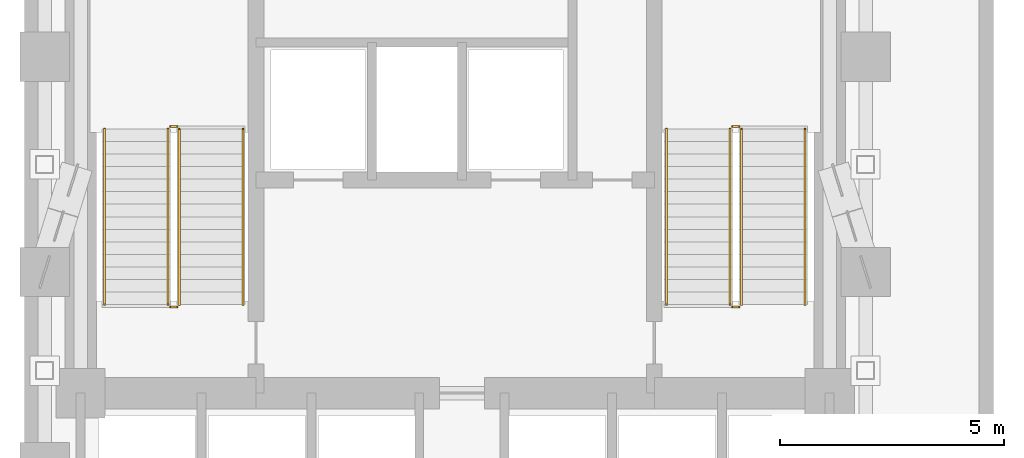
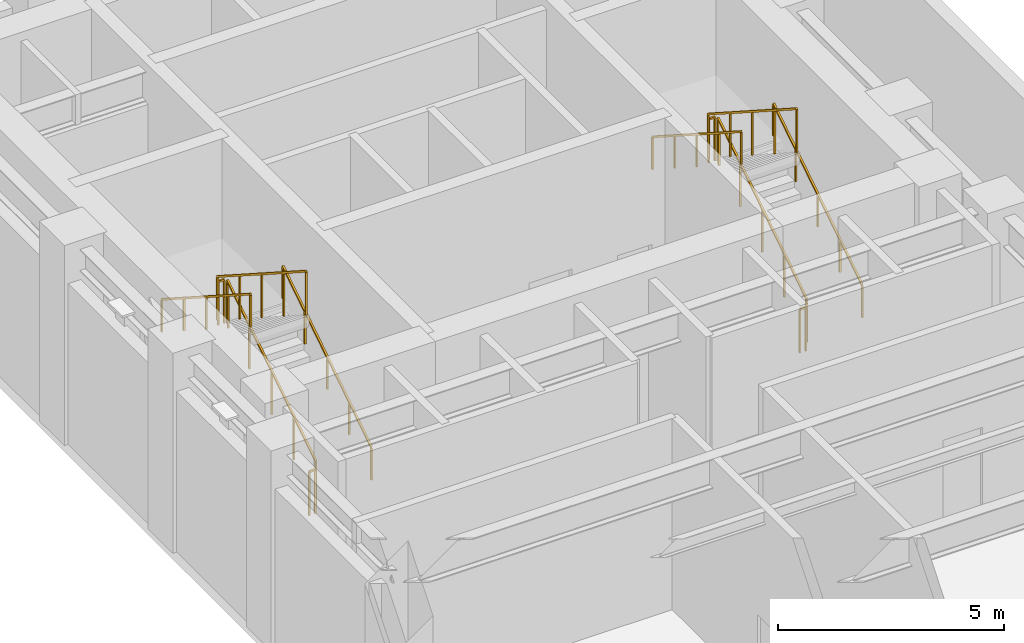
# One storey, part 8 of 9: 12 railings.
"""IFC4 building model written with IfcOpenShell, lengths in metres."""

from ifc_helpers import new_model, si_unit, direction, frame, origin, origin_2d, place, context, subcontext, project, spatial, rectangle, extrude, material, type_object, element, save


model = new_model("IFC4")

# Units and contexts
model_context = context("Model", 3, precision=1e-05, world=origin(), true_north=direction((0.0, 1.0)))
body_context = subcontext(model_context, "Body", "Model", "MODEL_VIEW")
ifc_project = project(units=[si_unit("LENGTHUNIT", "METRE"), si_unit("AREAUNIT", "SQUARE_METRE"), si_unit("VOLUMEUNIT", "CUBIC_METRE"), si_unit("PLANEANGLEUNIT", "RADIAN"), si_unit("MASSUNIT", "GRAM", prefix="KILO")], contexts=[model_context])

# Site, building, storey
site_placement = place(None, origin())
site = spatial("IfcSite", under=ifc_project, at=site_placement, CompositionType="ELEMENT")
building_placement = place(site_placement, origin())
building = spatial("IfcBuilding", under=site, at=building_placement, Name="Orvandelia Arch Residences", CompositionType="ELEMENT")
storey_placement = place(building_placement, frame((0.0, 0.0, 101.800048828125)))
storey = spatial("IfcBuildingStorey", under=building, at=storey_placement, Name="L26", CompositionType="ELEMENT", Elevation=101.800048828125)

# Railings
ifc_material = material(Name="Brushed Stainless Steel 304", Category="steel")
railing_type_1 = type_object("IfcRailingType", Name="RL-STAIR-GD1120", PredefinedType="GUARDRAIL", material=ifc_material)
railing_1_placement = place(storey_placement, frame((8.25, 32.8701171875, 0.179931640625)))
element("IfcRailing", 1, at=railing_1_placement, inside=storey, type_object=railing_type_1, Name="L26 ST-1 stair guard 1", PredefinedType="GUARDRAIL", context=body_context, shape_type="SweptSolid", body=[
    extrude(rectangle(XDim=0.048095703125, YDim=0.048095703125, at=origin_2d()), frame((0.0, 0.0, 1.17578125), z_axis=(0.0, 0.841171666519, 0.540768182723), x_axis=(-1.0, 0.0, 0.0)), (0.0, 0.0, 1.0), 4.66015625),
    extrude(rectangle(XDim=0.0419921875, YDim=0.0419921875, at=origin_2d()), origin(), (0.0, 0.0, 1.0), 1.15185546875),
    extrude(rectangle(XDim=0.0419921875, YDim=0.0419921875, at=origin_2d()), frame((0.0, 0.97998046875, 0.6298828125)), (0.0, 0.0, 1.0), 1.15185546875),
    extrude(rectangle(XDim=0.0419921875, YDim=0.0419921875, at=origin_2d()), frame((0.0, 1.9599609375, 1.260009765625)), (0.0, 0.0, 1.0), 1.15185546875),
    extrude(rectangle(XDim=0.0419921875, YDim=0.0419921875, at=origin_2d()), frame((0.0, 2.93994140625, 1.89013671875)), (0.0, 0.0, 1.0), 1.15185546875),
    extrude(rectangle(XDim=0.0419921875, YDim=0.0419921875, at=origin_2d()), frame((0.0, 3.919921875, 2.52001953125)), (0.0, 0.0, 1.0), 1.15185546875),
])
railing_2_placement = place(storey_placement, frame((8.199951171875, 36.840087890625, 2.699951171875)))
element("IfcRailing", 2, at=railing_2_placement, inside=storey, type_object=railing_type_1, Name="L26 ST-1 stair guard 2", PredefinedType="GUARDRAIL", context=body_context, shape_type="SweptSolid", body=[
    extrude(rectangle(XDim=0.048095703125, YDim=0.048095703125, at=origin_2d()), frame((0.0, 0.0, 1.17578125), z_axis=(-1.0, 0.0, 0.0), x_axis=(0.0, -1.0, 0.0)), (0.0, 0.0, 1.0), 0.14990234375),
    extrude(rectangle(XDim=0.0419921875, YDim=0.0419921875, at=origin_2d()), origin(), (0.0, 0.0, 1.0), 1.15185546875),
    extrude(rectangle(XDim=0.0419921875, YDim=0.0419921875, at=origin_2d()), frame((-0.14990234375, 0.0, 0.0)), (0.0, 0.0, 1.0), 1.15185546875),
])
railing_3_placement = place(storey_placement, frame((8.0, 36.7900390625, 2.8798828125)))
element("IfcRailing", 3, at=railing_3_placement, inside=storey, type_object=railing_type_1, Name="L26 ST-1 stair guard 3", PredefinedType="GUARDRAIL", context=body_context, shape_type="SweptSolid", body=[
    extrude(rectangle(XDim=0.048095703125, YDim=0.048095703125, at=origin_2d()), frame((0.0, 0.0, 1.17578125), z_axis=(0.0, -0.841171666519, 0.540768182723), x_axis=(1.0, 0.0, 0.0)), (0.0, 0.0, 1.0), 4.66015625),
    extrude(rectangle(XDim=0.0419921875, YDim=0.0419921875, at=origin_2d()), origin(), (0.0, 0.0, 1.0), 1.15185546875),
    extrude(rectangle(XDim=0.0419921875, YDim=0.0419921875, at=origin_2d()), frame((0.0, -0.97998046875, 0.6298828125)), (0.0, 0.0, 1.0), 1.15185546875),
    extrude(rectangle(XDim=0.0419921875, YDim=0.0419921875, at=origin_2d()), frame((0.0, -1.9599609375, 1.260009765625)), (0.0, 0.0, 1.0), 1.15185546875),
    extrude(rectangle(XDim=0.0419921875, YDim=0.0419921875, at=origin_2d()), frame((0.0, -2.93994140625, 1.89013671875)), (0.0, 0.0, 1.0), 1.15185546875),
    extrude(rectangle(XDim=0.0419921875, YDim=0.0419921875, at=origin_2d()), frame((0.0, -3.919921875, 2.52001953125)), (0.0, 0.0, 1.0), 1.15185546875),
])
railing_4_placement = place(storey_placement, frame((8.199951171875, 32.820068359375, 0.0)))
element("IfcRailing", 4, at=railing_4_placement, inside=storey, type_object=railing_type_1, Name="L26 ST-1 stair guard 4", PredefinedType="GUARDRAIL", context=body_context, shape_type="SweptSolid", body=[
    extrude(rectangle(XDim=0.048095703125, YDim=0.048095703125, at=origin_2d()), frame((0.0, 0.0, 1.17578125), z_axis=(-1.0, 0.0, 0.0), x_axis=(0.0, -1.0, 0.0)), (0.0, 0.0, 1.0), 0.14990234375),
    extrude(rectangle(XDim=0.0419921875, YDim=0.0419921875, at=origin_2d()), origin(), (0.0, 0.0, 1.0), 1.15185546875),
    extrude(rectangle(XDim=0.0419921875, YDim=0.0419921875, at=origin_2d()), frame((-0.14990234375, 0.0, 0.0)), (0.0, 0.0, 1.0), 1.15185546875),
])
railing_5_placement = place(storey_placement, frame((20.780029296875, 32.8701171875, 0.179931640625)))
element("IfcRailing", 5, at=railing_5_placement, inside=storey, type_object=railing_type_1, Name="L26 ST-2 stair guard 1", PredefinedType="GUARDRAIL", context=body_context, shape_type="SweptSolid", body=[
    extrude(rectangle(XDim=0.048095703125, YDim=0.048095703125, at=origin_2d()), frame((0.0, 0.0, 1.17578125), z_axis=(0.0, 0.841171666519, 0.540768182723), x_axis=(-1.0, 0.0, 0.0)), (0.0, 0.0, 1.0), 4.66015625),
    extrude(rectangle(XDim=0.0419921875, YDim=0.0419921875, at=origin_2d()), origin(), (0.0, 0.0, 1.0), 1.15185546875),
    extrude(rectangle(XDim=0.0419921875, YDim=0.0419921875, at=origin_2d()), frame((0.0, 0.97998046875, 0.6298828125)), (0.0, 0.0, 1.0), 1.15185546875),
    extrude(rectangle(XDim=0.0419921875, YDim=0.0419921875, at=origin_2d()), frame((0.0, 1.9599609375, 1.260009765625)), (0.0, 0.0, 1.0), 1.15185546875),
    extrude(rectangle(XDim=0.0419921875, YDim=0.0419921875, at=origin_2d()), frame((0.0, 2.93994140625, 1.89013671875)), (0.0, 0.0, 1.0), 1.15185546875),
    extrude(rectangle(XDim=0.0419921875, YDim=0.0419921875, at=origin_2d()), frame((0.0, 3.919921875, 2.52001953125)), (0.0, 0.0, 1.0), 1.15185546875),
])
railing_6_placement = place(storey_placement, frame((20.72998046875, 36.840087890625, 2.699951171875)))
element("IfcRailing", 6, at=railing_6_placement, inside=storey, type_object=railing_type_1, Name="L26 ST-2 stair guard 2", PredefinedType="GUARDRAIL", context=body_context, shape_type="SweptSolid", body=[
    extrude(rectangle(XDim=0.048095703125, YDim=0.048095703125, at=origin_2d()), frame((0.0, 0.0, 1.17578125), z_axis=(-1.0, 0.0, 0.0), x_axis=(0.0, -1.0, 0.0)), (0.0, 0.0, 1.0), 0.14990234375),
    extrude(rectangle(XDim=0.0419921875, YDim=0.0419921875, at=origin_2d()), origin(), (0.0, 0.0, 1.0), 1.15185546875),
    extrude(rectangle(XDim=0.0419921875, YDim=0.0419921875, at=origin_2d()), frame((-0.14990234375, 0.0, 0.0)), (0.0, 0.0, 1.0), 1.15185546875),
])
railing_7_placement = place(storey_placement, frame((20.530029296875, 36.7900390625, 2.8798828125)))
element("IfcRailing", 7, at=railing_7_placement, inside=storey, type_object=railing_type_1, Name="L26 ST-2 stair guard 3", PredefinedType="GUARDRAIL", context=body_context, shape_type="SweptSolid", body=[
    extrude(rectangle(XDim=0.048095703125, YDim=0.048095703125, at=origin_2d()), frame((0.0, 0.0, 1.17578125), z_axis=(0.0, -0.841171666519, 0.540768182723), x_axis=(1.0, 0.0, 0.0)), (0.0, 0.0, 1.0), 4.66015625),
    extrude(rectangle(XDim=0.0419921875, YDim=0.0419921875, at=origin_2d()), origin(), (0.0, 0.0, 1.0), 1.15185546875),
    extrude(rectangle(XDim=0.0419921875, YDim=0.0419921875, at=origin_2d()), frame((0.0, -0.97998046875, 0.6298828125)), (0.0, 0.0, 1.0), 1.15185546875),
    extrude(rectangle(XDim=0.0419921875, YDim=0.0419921875, at=origin_2d()), frame((0.0, -1.9599609375, 1.260009765625)), (0.0, 0.0, 1.0), 1.15185546875),
    extrude(rectangle(XDim=0.0419921875, YDim=0.0419921875, at=origin_2d()), frame((0.0, -2.93994140625, 1.89013671875)), (0.0, 0.0, 1.0), 1.15185546875),
    extrude(rectangle(XDim=0.0419921875, YDim=0.0419921875, at=origin_2d()), frame((0.0, -3.919921875, 2.52001953125)), (0.0, 0.0, 1.0), 1.15185546875),
])
railing_8_placement = place(storey_placement, frame((20.72998046875, 32.820068359375, 0.0)))
element("IfcRailing", 8, at=railing_8_placement, inside=storey, type_object=railing_type_1, Name="L26 ST-2 stair guard 4", PredefinedType="GUARDRAIL", context=body_context, shape_type="SweptSolid", body=[
    extrude(rectangle(XDim=0.048095703125, YDim=0.048095703125, at=origin_2d()), frame((0.0, 0.0, 1.17578125), z_axis=(-1.0, 0.0, 0.0), x_axis=(0.0, -1.0, 0.0)), (0.0, 0.0, 1.0), 0.14990234375),
    extrude(rectangle(XDim=0.0419921875, YDim=0.0419921875, at=origin_2d()), origin(), (0.0, 0.0, 1.0), 1.15185546875),
    extrude(rectangle(XDim=0.0419921875, YDim=0.0419921875, at=origin_2d()), frame((-0.14990234375, 0.0, 0.0)), (0.0, 0.0, 1.0), 1.15185546875),
])
railing_type_2 = type_object("IfcRailingType", Name="RL-STAIR-HR920", PredefinedType="HANDRAIL", material=ifc_material)
railing_9_placement = place(storey_placement, frame((9.669921875, 32.8701171875, 0.35986328125)))
element("IfcRailing", 9, at=railing_9_placement, inside=storey, type_object=railing_type_2, Name="L26 ST-1 stair handrail 1", PredefinedType="HANDRAIL", context=body_context, shape_type="SweptSolid", body=[
    extrude(rectangle(XDim=0.048095703125, YDim=0.048095703125, at=origin_2d()), frame((0.0, 0.0, 0.8759765625), z_axis=(0.0, 0.841171666519, 0.540768182723), x_axis=(-1.0, 0.0, 0.0)), (0.0, 0.0, 1.0), 4.66015625),
    extrude(rectangle(XDim=0.0419921875, YDim=0.0419921875, at=origin_2d()), origin(), (0.0, 0.0, 1.0), 0.851806640625),
    extrude(rectangle(XDim=0.0419921875, YDim=0.0419921875, at=origin_2d()), frame((0.0, 0.97998046875, 0.6298828125)), (0.0, 0.0, 1.0), 0.851806640625),
    extrude(rectangle(XDim=0.0419921875, YDim=0.0419921875, at=origin_2d()), frame((0.0, 1.9599609375, 1.260009765625)), (0.0, 0.0, 1.0), 0.851806640625),
    extrude(rectangle(XDim=0.0419921875, YDim=0.0419921875, at=origin_2d()), frame((0.0, 2.93994140625, 1.89013671875)), (0.0, 0.0, 1.0), 0.851806640625),
    extrude(rectangle(XDim=0.0419921875, YDim=0.0419921875, at=origin_2d()), frame((0.0, 3.919921875, 2.52001953125)), (0.0, 0.0, 1.0), 0.851806640625),
])
railing_10_placement = place(storey_placement, frame((6.580078125, 36.7900390625, 3.06005859375)))
element("IfcRailing", 10, at=railing_10_placement, inside=storey, type_object=railing_type_2, Name="L26 ST-1 stair handrail 2", PredefinedType="HANDRAIL", context=body_context, shape_type="SweptSolid", body=[
    extrude(rectangle(XDim=0.048095703125, YDim=0.048095703125, at=origin_2d()), frame((0.0, 0.0, 0.8759765625), z_axis=(0.0, -0.84119549742, 0.540731111663), x_axis=(1.0, 0.0, 0.0)), (0.0, 0.0, 1.0), 4.659912109375),
    extrude(rectangle(XDim=0.0419921875, YDim=0.0419921875, at=origin_2d()), origin(), (0.0, 0.0, 1.0), 0.851806640625),
    extrude(rectangle(XDim=0.0419921875, YDim=0.0419921875, at=origin_2d()), frame((0.0, -0.97998046875, 0.6298828125)), (0.0, 0.0, 1.0), 0.851806640625),
    extrude(rectangle(XDim=0.0419921875, YDim=0.0419921875, at=origin_2d()), frame((0.0, -1.9599609375, 1.259765625)), (0.0, 0.0, 1.0), 0.851806640625),
    extrude(rectangle(XDim=0.0419921875, YDim=0.0419921875, at=origin_2d()), frame((0.0, -2.93994140625, 1.889892578125)), (0.0, 0.0, 1.0), 0.851806640625),
    extrude(rectangle(XDim=0.0419921875, YDim=0.0419921875, at=origin_2d()), frame((0.0, -3.919921875, 2.519775390625)), (0.0, 0.0, 1.0), 0.851806640625),
])
railing_11_placement = place(storey_placement, frame((22.199951171875, 32.8701171875, 0.35986328125)))
element("IfcRailing", 11, at=railing_11_placement, inside=storey, type_object=railing_type_2, Name="L26 ST-2 stair handrail 1", PredefinedType="HANDRAIL", context=body_context, shape_type="SweptSolid", body=[
    extrude(rectangle(XDim=0.048095703125, YDim=0.048095703125, at=origin_2d()), frame((0.0, 0.0, 0.8759765625), z_axis=(0.0, 0.841171666519, 0.540768182723), x_axis=(-1.0, 0.0, 0.0)), (0.0, 0.0, 1.0), 4.66015625),
    extrude(rectangle(XDim=0.0419921875, YDim=0.0419921875, at=origin_2d()), origin(), (0.0, 0.0, 1.0), 0.851806640625),
    extrude(rectangle(XDim=0.0419921875, YDim=0.0419921875, at=origin_2d()), frame((0.0, 0.97998046875, 0.6298828125)), (0.0, 0.0, 1.0), 0.851806640625),
    extrude(rectangle(XDim=0.0419921875, YDim=0.0419921875, at=origin_2d()), frame((0.0, 1.9599609375, 1.260009765625)), (0.0, 0.0, 1.0), 0.851806640625),
    extrude(rectangle(XDim=0.0419921875, YDim=0.0419921875, at=origin_2d()), frame((0.0, 2.93994140625, 1.89013671875)), (0.0, 0.0, 1.0), 0.851806640625),
    extrude(rectangle(XDim=0.0419921875, YDim=0.0419921875, at=origin_2d()), frame((0.0, 3.919921875, 2.52001953125)), (0.0, 0.0, 1.0), 0.851806640625),
])
railing_12_placement = place(storey_placement, frame((19.110107421875, 36.7900390625, 3.06005859375)))
element("IfcRailing", 12, at=railing_12_placement, inside=storey, type_object=railing_type_2, Name="L26 ST-2 stair handrail 2", PredefinedType="HANDRAIL", context=body_context, shape_type="SweptSolid", body=[
    extrude(rectangle(XDim=0.048095703125, YDim=0.048095703125, at=origin_2d()), frame((0.0, 0.0, 0.8759765625), z_axis=(0.0, -0.84119549742, 0.540731111663), x_axis=(1.0, 0.0, 0.0)), (0.0, 0.0, 1.0), 4.659912109375),
    extrude(rectangle(XDim=0.0419921875, YDim=0.0419921875, at=origin_2d()), origin(), (0.0, 0.0, 1.0), 0.851806640625),
    extrude(rectangle(XDim=0.0419921875, YDim=0.0419921875, at=origin_2d()), frame((0.0, -0.97998046875, 0.6298828125)), (0.0, 0.0, 1.0), 0.851806640625),
    extrude(rectangle(XDim=0.0419921875, YDim=0.0419921875, at=origin_2d()), frame((0.0, -1.9599609375, 1.259765625)), (0.0, 0.0, 1.0), 0.851806640625),
    extrude(rectangle(XDim=0.0419921875, YDim=0.0419921875, at=origin_2d()), frame((0.0, -2.93994140625, 1.889892578125)), (0.0, 0.0, 1.0), 0.851806640625),
    extrude(rectangle(XDim=0.0419921875, YDim=0.0419921875, at=origin_2d()), frame((0.0, -3.919921875, 2.519775390625)), (0.0, 0.0, 1.0), 0.851806640625),
])

save(model, "model.ifc")
